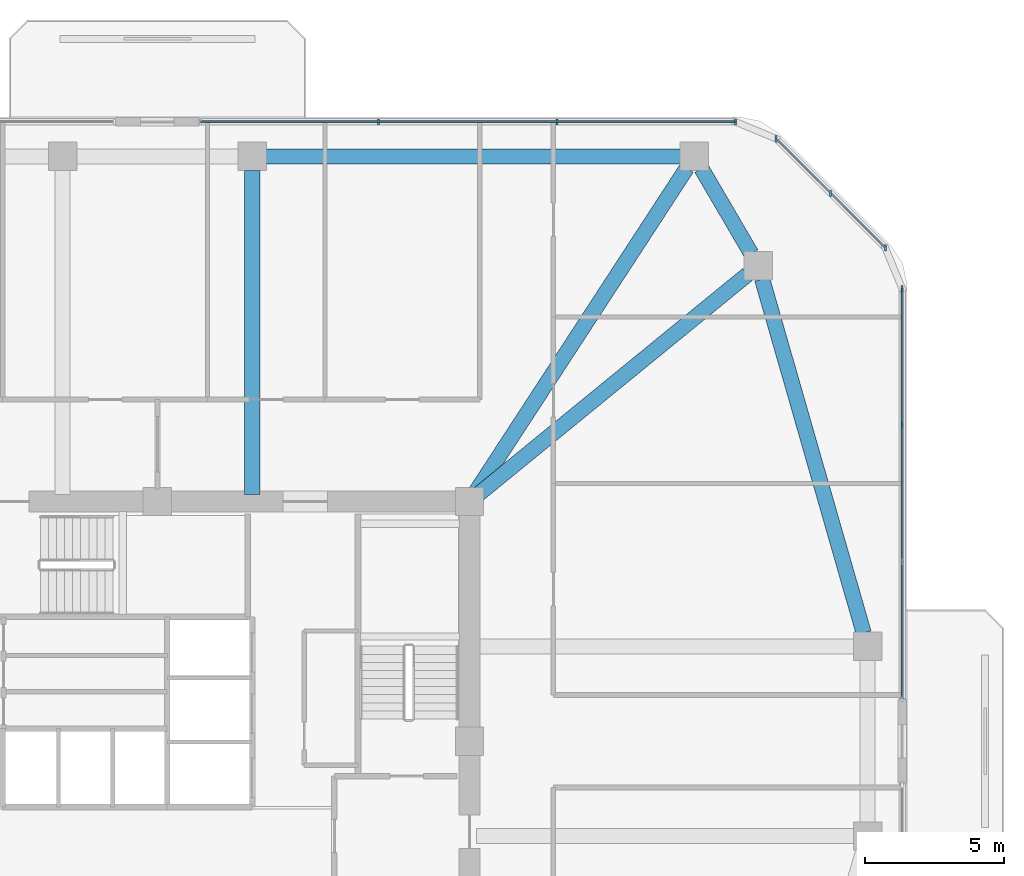
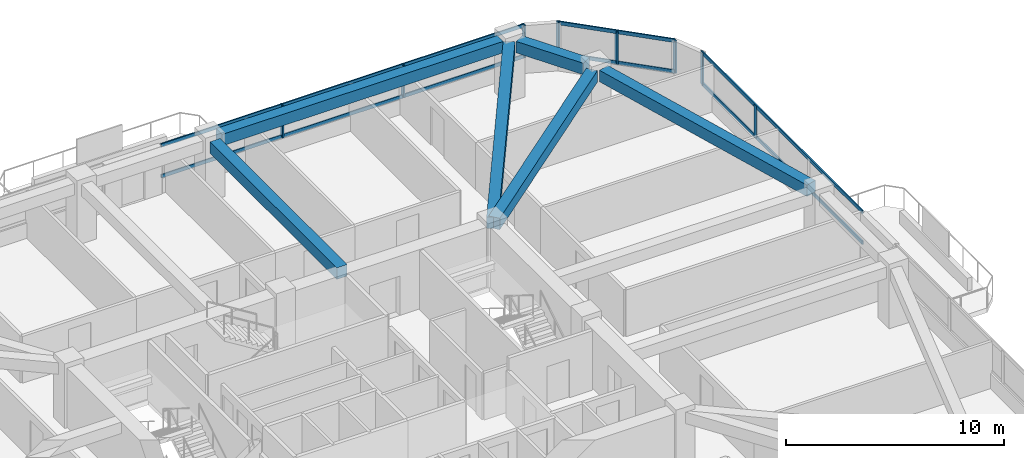
# One storey, part 7 of 14: 14 members, 6 beams, 3 elements without a shape of their own.
"""IFC4 building model written with IfcOpenShell, lengths in metres."""

import ifcopenshell
import ifcopenshell.guid

model = None  # the IFC model being written
_history = None  # IfcOwnerHistory: only IFC2X3 demands one
_inside = {}  # id of a spatial element -> (the spatial element, [elements in it])
_under = {}  # id of a project, library or spatial element -> (it, [spatial elements below it])
_declared = {}  # id of a project -> (the project, [libraries it declares])
_typed = {}  # id of a type object -> (the type object, [elements of that type])
_made_of = {}  # id of a material, layer set ... -> (it, [elements and type objects made of it])


def new_model(schema):
    """Start an empty IFC model of exactly this schema.

    Asked for "IFC4X3", IfcOpenShell would pick the latest addendum, in which some entities
    have other attributes; the version numbers below select the first issue.
    IFC2X3 requires an IfcOwnerHistory on every rooted entity: one is made here for all.
    """
    global model, _history
    if schema == "IFC4X3":
        model = ifcopenshell.file(schema_version=(4, 3, 0, 0))
    else:
        model = ifcopenshell.file(schema=schema)
    _inside.clear()
    _under.clear()
    _declared.clear()
    _typed.clear()
    _made_of.clear()
    _history = None
    if model.schema == "IFC2X3":
        org = make("IfcOrganization", Name="unknown")
        user = make(
            "IfcPersonAndOrganization",
            ThePerson=make("IfcPerson", FamilyName="unknown"),
            TheOrganization=org,
        )
        app = make(
            "IfcApplication",
            ApplicationDeveloper=org,
            Version="unknown",
            ApplicationFullName="unknown",
            ApplicationIdentifier="unknown",
        )
        _history = make(
            "IfcOwnerHistory",
            OwningUser=user,
            OwningApplication=app,
            ChangeAction="ADDED",
            CreationDate=0,
        )
    return model


def make(cls, **values):
    """One entity of the class cls with the attributes given. An attribute that is None is left unset."""
    return model.create_entity(
        cls, **{name: value for name, value in values.items() if value is not None}
    )


def rooted(cls, **values):
    """An entity with a GlobalId (a new one), such as an element, a storey or a relation."""
    return make(cls, GlobalId=ifcopenshell.guid.new(), OwnerHistory=_history, **values)


def si_unit(unit_type, name, prefix=None):
    """IfcSIUnit, for example si_unit("LENGTHUNIT", "METRE", prefix="MILLI")."""
    return make("IfcSIUnit", UnitType=unit_type, Prefix=prefix, Name=name)


def derived_unit(unit_type, elements):
    """IfcDerivedUnit: a product of units, each with its exponent."""
    return make(
        "IfcDerivedUnit",
        Elements=[
            make("IfcDerivedUnitElement", Unit=unit, Exponent=power)
            for unit, power in elements
        ],
        UnitType=unit_type,
    )


def assignment(units):
    """IfcUnitAssignment: the units of a project."""
    return None if units is None else make("IfcUnitAssignment", Units=units)


def point(xyz):
    """IfcCartesianPoint."""
    return None if xyz is None else make("IfcCartesianPoint", Coordinates=xyz)


def direction(xyz):
    """IfcDirection."""
    return None if xyz is None else make("IfcDirection", DirectionRatios=xyz)


def frame(location, z_axis=None, x_axis=None):
    """IfcAxis2Placement3D, a coordinate frame: its origin and axes. An axis left out is left unset."""
    return make(
        "IfcAxis2Placement3D",
        Location=point(location),
        Axis=direction(z_axis),
        RefDirection=direction(x_axis),
    )


def frame_2d(location, x_axis=None):
    """IfcAxis2Placement2D, a coordinate frame in the plane: its origin and x axis."""
    return make(
        "IfcAxis2Placement2D", Location=point(location), RefDirection=direction(x_axis)
    )


def origin():
    """The frame at (0, 0, 0) with its axes left unset."""
    return frame((0.0, 0.0, 0.0))


def origin_2d():
    """The frame at (0, 0) in the plane with its x axis left unset."""
    return frame_2d((0.0, 0.0))


def place(relative_to, where):
    """IfcLocalPlacement: puts the frame where relative to a parent placement (None: the world)."""
    return make(
        "IfcLocalPlacement", PlacementRelTo=relative_to, RelativePlacement=where
    )


def context(
    kind, dimensions, precision=None, world=None, true_north=None, identifier=None
):
    """IfcGeometricRepresentationContext, for example the 3D "Model" context."""
    return make(
        "IfcGeometricRepresentationContext",
        ContextIdentifier=identifier,
        ContextType=kind,
        CoordinateSpaceDimension=dimensions,
        Precision=precision,
        WorldCoordinateSystem=world,
        TrueNorth=true_north,
    )


def subcontext(parent, identifier, kind, view, scale=None):
    """IfcGeometricRepresentationSubContext, for example "Body" below "Model"."""
    return make(
        "IfcGeometricRepresentationSubContext",
        ContextIdentifier=identifier,
        ContextType=kind,
        ParentContext=parent,
        TargetScale=scale,
        TargetView=view,
    )


def project(units=None, contexts=None):
    """IfcProject with its units and contexts."""
    return rooted(
        "IfcProject",
        Name="project",
        RepresentationContexts=contexts,
        UnitsInContext=assignment(units),
    )


def spatial(cls, under=None, at=None, **own):
    """A site, building, storey or space (cls), placed at a placement, below another one or the project."""
    s = rooted(cls, ObjectPlacement=at, **own)
    if under is not None:
        _under.setdefault(under.id(), (under, []))[1].append(s)
    return s


def profile(cls, at=None, kind="AREA", **sizes):
    """A parametric profile (cls). Its sizes go by their IFC names, for example OverallWidth=200.0."""
    return make(cls, ProfileType=kind, Position=at, **sizes)


def rectangle(**sizes):
    """IfcRectangleProfileDef."""
    return profile("IfcRectangleProfileDef", **sizes)


def extrude(swept, where, along, depth):
    """IfcExtrudedAreaSolid: the profile swept, set in the frame where, extruded along a direction by depth."""
    return make(
        "IfcExtrudedAreaSolid",
        SweptArea=swept,
        Position=where,
        ExtrudedDirection=direction(along),
        Depth=depth,
    )


def shape(context_of_items, identifier, shape_type, items):
    """IfcShapeRepresentation: the items that make up one representation, for example the "Body"."""
    return make(
        "IfcShapeRepresentation",
        ContextOfItems=context_of_items,
        RepresentationIdentifier=identifier,
        RepresentationType=shape_type,
        Items=items,
    )


def material(Name=None, Category=None):
    """IfcMaterial."""
    return make("IfcMaterial", Name=Name, Category=Category)


def material_profile(
    of_material, cross_section, Name=None, Category=None, Priority=None
):
    """IfcMaterialProfile: a cross section and its material."""
    return make(
        "IfcMaterialProfile",
        Name=Name,
        Material=of_material,
        Profile=cross_section,
        Priority=Priority,
        Category=Category,
    )


def profile_set(profiles, Name=None, composite=None):
    """IfcMaterialProfileSet."""
    return make(
        "IfcMaterialProfileSet",
        Name=Name,
        MaterialProfiles=profiles,
        CompositeProfile=composite,
    )


def made_of(thing, what):
    """Note that an element or type object is made of a material, layer set ...; save() writes the relation."""
    if what is not None:
        _made_of.setdefault(what.id(), (what, []))[1].append(thing)
    return thing


def type_object(cls, material=None, **own):
    """A type object (cls), such as IfcWallType, which elements share."""
    return made_of(rooted(cls, **own), material)


def element(
    cls,
    number,
    at=None,
    inside=None,
    cuts=None,
    type_object=None,
    material=None,
    context=None,
    identifier="Body",
    shape_type=None,
    held_by="IfcProductDefinitionShape",
    body=None,
    shapes=None,
    **own,
):
    """One element of the class cls, such as IfcWall. Its Tag is "e" and its number.

    at: its placement. inside: the storey or other place that contains it. cuts: it is an
    opening in that element (IfcRelVoidsElement). A single representation is given by context,
    identifier, shape_type and body (its items); several are given by shapes. held_by: the class
    of the entity that holds the representations. save() writes the other relations.
    """
    e = rooted(cls, Tag="e%d" % number, ObjectPlacement=at, **own)
    if body is not None:
        shapes = [shape(context, identifier, shape_type, body)]
    if shapes is not None:
        e.Representation = make(held_by, Representations=shapes)
    if inside is not None:
        _inside.setdefault(inside.id(), (inside, []))[1].append(e)
    if cuts is not None:
        rooted(
            "IfcRelVoidsElement", RelatingBuildingElement=cuts, RelatedOpeningElement=e
        )
    if type_object is not None:
        _typed.setdefault(type_object.id(), (type_object, []))[1].append(e)
    return made_of(e, material)


def aggregate(whole, parts):
    """IfcRelAggregates: a whole, such as a stair, and the parts it consists of."""
    return rooted("IfcRelAggregates", RelatingObject=whole, RelatedObjects=parts)


def save(model, path):
    """Write the relations noted so far, then the file.

    IfcRelAggregates (storeys below a building ...), IfcRelContainedInSpatialStructure (elements
    in a storey), IfcRelDefinesByType, IfcRelAssociatesMaterial and IfcRelDeclares: one each for
    every whole, place, type object, material and project.
    """
    for whole, parts in _under.values():
        aggregate(whole, parts)
    for where, things in _inside.values():
        rooted(
            "IfcRelContainedInSpatialStructure",
            RelatedElements=things,
            RelatingStructure=where,
        )
    for kind, things in _typed.values():
        rooted("IfcRelDefinesByType", RelatedObjects=things, RelatingType=kind)
    for what, things in _made_of.values():
        rooted("IfcRelAssociatesMaterial", RelatedObjects=things, RelatingMaterial=what)
    for by, libraries in _declared.values():
        rooted("IfcRelDeclares", RelatingContext=by, RelatedDefinitions=libraries)
    model.write(path)


model = new_model("IFC4")

# Units and contexts
model_context = context("Model", 3, precision=1e-05, world=origin(), true_north=direction((0.0, 1.0)))
body_context = subcontext(model_context, "Body", "Model", "MODEL_VIEW")
ifc_project = project(units=[si_unit("LENGTHUNIT", "METRE"), si_unit("AREAUNIT", "SQUARE_METRE"), si_unit("VOLUMEUNIT", "CUBIC_METRE"), si_unit("PLANEANGLEUNIT", "RADIAN"), si_unit("MASSUNIT", "GRAM", prefix="KILO"), derived_unit("THERMALTRANSMITTANCEUNIT", [(si_unit("POWERUNIT", "WATT"), 1), (si_unit("LENGTHUNIT", "METRE"), -2), (si_unit("THERMODYNAMICTEMPERATUREUNIT", "KELVIN"), -1)])], contexts=[model_context])

# Site, building, storey
site_placement = place(None, origin())
site = spatial("IfcSite", under=ifc_project, at=site_placement, CompositionType="ELEMENT")
building_placement = place(site_placement, origin())
building = spatial("IfcBuilding", under=site, at=building_placement, Name="Koralith Skygarden Medical Center", CompositionType="ELEMENT")
storey_placement = place(building_placement, frame((0.0, 0.0, 81.179931640625)))
storey = spatial("IfcBuildingStorey", under=building, at=storey_placement, Name="L20", CompositionType="ELEMENT", Elevation=81.179931640625)

# Curtain wall, members
ifc_material_1 = material(Name="Clear Laminated Glass", Category="glass")
curtain_wall_type = type_object("IfcCurtainWallType", Name="CW-3 Zone 2 Faceted Solar Curtain Wall", PredefinedType="NOTDEFINED", material=ifc_material_1)
curtain_wall_1_placement = place(storey_placement, origin())
curtain_wall_1 = element("IfcCurtainWall", 1, at=curtain_wall_1_placement, inside=storey, type_object=curtain_wall_type, Name="Curtain Wall CW-L20-E-R", PredefinedType="NOTDEFINED")
ifc_material_2 = material(Name="Aluminium 6063-T6", Category="aluminium")
ifc_material_profile_1 = material_profile(ifc_material_2, rectangle(XDim=0.073974609375, YDim=0.219970703125, at=origin_2d()), Name="MUL74X220")
ifc_profile_set_1 = profile_set([ifc_material_profile_1], Name="Aluminium 6063-T6")
member_type_1 = type_object("IfcMemberType", Name="CW-3 Extruded Mullion 74x220", PredefinedType="MULLION", material=ifc_profile_set_1)
member_1_placement = place(storey_placement, frame((63.719970703125, 37.242919921875, 0.85009765625), z_axis=(0.0, 0.0, 1.0), x_axis=(1.0, 0.0, 0.0)))
member_1 = element("IfcMember", 2, at=member_1_placement, type_object=member_type_1, Name="CW-L20-E-R Mullion 3", PredefinedType="MULLION", context=body_context, shape_type="SweptSolid", body=[
    extrude(rectangle(XDim=0.073974609375, YDim=0.219970703125, at=origin_2d()), origin(), (0.0, 0.0, 1.0), 1.820068359375),
])
member_2_placement = place(storey_placement, frame((63.719970703125, 42.14501953125, 0.85009765625), z_axis=(0.0, 0.0, 1.0), x_axis=(1.0, 0.0, 0.0)))
member_2 = element("IfcMember", 3, at=member_2_placement, type_object=member_type_1, Name="CW-L20-E-R Mullion 4", PredefinedType="MULLION", context=body_context, shape_type="SweptSolid", body=[
    extrude(rectangle(XDim=0.073974609375, YDim=0.219970703125, at=origin_2d()), origin(), (0.0, 0.0, 1.0), 1.820068359375),
])

curtain_wall_2_placement = place(storey_placement, origin())
curtain_wall_2 = element("IfcCurtainWall", 4, at=curtain_wall_2_placement, inside=storey, type_object=curtain_wall_type, Name="Curtain Wall CW-L20-NE", PredefinedType="NOTDEFINED")
member_3_placement = place(storey_placement, frame((63.118896484375, 43.595947265625, 0.85009765625), z_axis=(0.0, 0.0, 1.0), x_axis=(1.0, 0.0, 0.0)))
member_3 = element("IfcMember", 5, at=member_3_placement, type_object=member_type_1, Name="CW-L20-NE Mullion 1", PredefinedType="MULLION", context=body_context, shape_type="SweptSolid", body=[
    extrude(rectangle(XDim=0.073974609375, YDim=0.219970703125, at=origin_2d()), origin(), (0.0, 0.0, 1.0), 1.820068359375),
])
member_4_placement = place(storey_placement, frame((61.156982421875, 45.556884765625, 0.85009765625), z_axis=(0.0, 0.0, 1.0), x_axis=(1.0, 0.0, 0.0)))
member_4 = element("IfcMember", 6, at=member_4_placement, type_object=member_type_1, Name="CW-L20-NE Mullion 2", PredefinedType="MULLION", context=body_context, shape_type="SweptSolid", body=[
    extrude(rectangle(XDim=0.073974609375, YDim=0.219970703125, at=origin_2d()), origin(), (0.0, 0.0, 1.0), 1.820068359375),
])
member_5_placement = place(storey_placement, frame((59.196044921875, 47.51904296875, 0.85009765625), z_axis=(0.0, 0.0, 1.0), x_axis=(1.0, 0.0, 0.0)))
member_5 = element("IfcMember", 7, at=member_5_placement, type_object=member_type_1, Name="CW-L20-NE Mullion 3", PredefinedType="MULLION", context=body_context, shape_type="SweptSolid", body=[
    extrude(rectangle(XDim=0.073974609375, YDim=0.219970703125, at=origin_2d()), origin(), (0.0, 0.0, 1.0), 1.820068359375),
])

curtain_wall_3_placement = place(storey_placement, origin())
curtain_wall_3 = element("IfcCurtainWall", 8, at=curtain_wall_3_placement, inside=storey, type_object=curtain_wall_type, Name="Curtain Wall CW-L20-N-L", PredefinedType="NOTDEFINED")
member_6_placement = place(storey_placement, frame((57.7451171875, 48.1201171875, 0.85009765625), z_axis=(0.0, 0.0, 1.0), x_axis=(1.0, 0.0, 0.0)))
member_6 = element("IfcMember", 9, at=member_6_placement, type_object=member_type_1, Name="CW-L20-N-L Mullion 1", PredefinedType="MULLION", context=body_context, shape_type="SweptSolid", body=[
    extrude(rectangle(XDim=0.073974609375, YDim=0.219970703125, at=origin_2d()), origin(), (0.0, 0.0, 1.0), 1.820068359375),
])
member_7_placement = place(storey_placement, frame((51.343994140625, 48.1201171875, 0.85009765625), z_axis=(0.0, 0.0, 1.0), x_axis=(1.0, 0.0, 0.0)))
member_7 = element("IfcMember", 10, at=member_7_placement, type_object=member_type_1, Name="CW-L20-N-L Mullion 2", PredefinedType="MULLION", context=body_context, shape_type="SweptSolid", body=[
    extrude(rectangle(XDim=0.073974609375, YDim=0.219970703125, at=origin_2d()), origin(), (0.0, 0.0, 1.0), 1.820068359375),
])
member_8_placement = place(storey_placement, frame((44.94189453125, 48.1201171875, 0.85009765625), z_axis=(0.0, 0.0, 1.0), x_axis=(1.0, 0.0, 0.0)))
member_8 = element("IfcMember", 11, at=member_8_placement, type_object=member_type_1, Name="CW-L20-N-L Mullion 3", PredefinedType="MULLION", context=body_context, shape_type="SweptSolid", body=[
    extrude(rectangle(XDim=0.073974609375, YDim=0.219970703125, at=origin_2d()), origin(), (0.0, 0.0, 1.0), 1.820068359375),
])

# Member
ifc_material_profile_2 = material_profile(ifc_material_2, rectangle(XDim=0.069091796875, YDim=0.197998046875, at=origin_2d()), Name="TRN69X198")
ifc_profile_set_2 = profile_set([ifc_material_profile_2], Name="Aluminium 6063-T6")
member_type_2 = type_object("IfcMemberType", Name="CW-3 Thermal Transom 69x198", PredefinedType="USERDEFINED", material=ifc_profile_set_2)
member_9_placement = place(storey_placement, frame((63.719970703125, 27.43896484375, 0.900146484375), z_axis=(0.0, 1.0, 0.0), x_axis=(-1.0, 0.0, 0.0)))
member_9 = element("IfcMember", 12, at=member_9_placement, type_object=member_type_2, Name="CW-L20-E-R Transom 1", ObjectType="TRANSOM", PredefinedType="USERDEFINED", context=body_context, shape_type="SweptSolid", body=[
    extrude(rectangle(XDim=0.069091796875, YDim=0.197998046875, at=origin_2d()), origin(), (0.0, 0.0, 1.0), 14.7060546875),
])

member_10_placement = place(storey_placement, frame((63.719970703125, 27.43896484375, 2.6201171875), z_axis=(0.0, 1.0, 0.0), x_axis=(-1.0, 0.0, 0.0)))
member_10 = element("IfcMember", 13, at=member_10_placement, type_object=member_type_2, Name="CW-L20-E-R Transom 2", ObjectType="TRANSOM", PredefinedType="USERDEFINED", context=body_context, shape_type="SweptSolid", body=[
    extrude(rectangle(XDim=0.069091796875, YDim=0.197998046875, at=origin_2d()), origin(), (0.0, 0.0, 1.0), 14.7060546875),
])

aggregate(curtain_wall_1, [member_1, member_2, member_9, member_10])

member_11_placement = place(storey_placement, frame((63.118896484375, 43.595947265625, 0.900146484375), z_axis=(-0.707084777957, 0.707128783731, 0.0), x_axis=(-0.707128783731, -0.707084777957, 0.0)))
member_11 = element("IfcMember", 14, at=member_11_placement, type_object=member_type_2, Name="CW-L20-NE Transom 1", ObjectType="TRANSOM", PredefinedType="USERDEFINED", context=body_context, shape_type="SweptSolid", body=[
    extrude(rectangle(XDim=0.069091796875, YDim=0.197998046875, at=origin_2d()), origin(), (0.0, 0.0, 1.0), 5.5478515625),
])

member_12_placement = place(storey_placement, frame((63.118896484375, 43.595947265625, 2.6201171875), z_axis=(-0.707084777957, 0.707128783731, 0.0), x_axis=(-0.707128783731, -0.707084777957, 0.0)))
member_12 = element("IfcMember", 15, at=member_12_placement, type_object=member_type_2, Name="CW-L20-NE Transom 2", ObjectType="TRANSOM", PredefinedType="USERDEFINED", context=body_context, shape_type="SweptSolid", body=[
    extrude(rectangle(XDim=0.069091796875, YDim=0.197998046875, at=origin_2d()), origin(), (0.0, 0.0, 1.0), 5.5478515625),
])

aggregate(curtain_wall_2, [member_3, member_4, member_5, member_11, member_12])

member_13_placement = place(storey_placement, frame((57.7451171875, 48.1201171875, 0.900146484375), z_axis=(-1.0, 0.0, 0.0), x_axis=(0.0, -1.0, 0.0)))
member_13 = element("IfcMember", 16, at=member_13_placement, type_object=member_type_2, Name="CW-L20-N-L Transom 1", ObjectType="TRANSOM", PredefinedType="USERDEFINED", context=body_context, shape_type="SweptSolid", body=[
    extrude(rectangle(XDim=0.069091796875, YDim=0.197998046875, at=origin_2d()), origin(), (0.0, 0.0, 1.0), 19.2041015625),
])

member_14_placement = place(storey_placement, frame((57.7451171875, 48.1201171875, 2.6201171875), z_axis=(-1.0, 0.0, 0.0), x_axis=(0.0, -1.0, 0.0)))
member_14 = element("IfcMember", 17, at=member_14_placement, type_object=member_type_2, Name="CW-L20-N-L Transom 2", ObjectType="TRANSOM", PredefinedType="USERDEFINED", context=body_context, shape_type="SweptSolid", body=[
    extrude(rectangle(XDim=0.069091796875, YDim=0.197998046875, at=origin_2d()), origin(), (0.0, 0.0, 1.0), 19.2041015625),
])

aggregate(curtain_wall_3, [member_6, member_7, member_8, member_13, member_14])

# Beams
ifc_material_3 = material(Name="Concrete C45/55", Category="concrete")
ifc_material_profile_3 = material_profile(ifc_material_3, rectangle(XDim=0.550048828125, YDim=0.639892578125, at=origin_2d()), Name="RCB550X640")
ifc_profile_set_3 = profile_set([ifc_material_profile_3], Name="Concrete C45/55")
beam_type_1 = type_object("IfcBeamType", Name="Radial Collector Beam RCB550X640", PredefinedType="BEAM", material=ifc_profile_set_3)
beam_1_placement = place(storey_placement, frame((48.39404296875, 34.657958984375, 3.0), z_axis=(0.774537653753, 0.632527804067, 0.0), x_axis=(-0.632527804067, 0.774537653753, 0.0)))
element("IfcBeam", 18, at=beam_1_placement, inside=storey, type_object=beam_type_1, Name="L20 Radial Collector Beam RB-10", PredefinedType="BEAM", context=body_context, shape_type="SweptSolid", body=[
    extrude(rectangle(XDim=0.550048828125, YDim=0.639892578125, at=origin_2d()), origin(), (0.0, 0.0, 1.0), 12.625732421875),
])
beam_2_placement = place(storey_placement, frame((48.3359375, 34.708984375, 3.0), z_axis=(0.546010797592, 0.83777813824, 0.0), x_axis=(-0.83777813824, 0.546010797592, 0.0)))
element("IfcBeam", 19, at=beam_2_placement, inside=storey, type_object=beam_type_1, Name="L20 Radial Collector Beam RB-11", PredefinedType="BEAM", context=body_context, shape_type="SweptSolid", body=[
    extrude(rectangle(XDim=0.550048828125, YDim=0.639892578125, at=origin_2d()), origin(), (0.0, 0.0, 1.0), 14.027587890625),
])
beam_3_placement = place(storey_placement, frame((40.39990234375, 34.75, 3.0), z_axis=(0.0, 1.0, 0.0), x_axis=(-1.0, 0.0, 0.0)))
element("IfcBeam", 20, at=beam_3_placement, inside=storey, type_object=beam_type_1, Name="L20 Radial Collector Beam RB-12", PredefinedType="BEAM", context=body_context, shape_type="SweptSolid", body=[
    extrude(rectangle(XDim=0.550048828125, YDim=0.639892578125, at=origin_2d()), origin(), (0.0, 0.0, 1.0), 11.6298828125),
])
ifc_material_profile_4 = material_profile(ifc_material_3, rectangle(XDim=0.550048828125, YDim=0.639892578125, at=origin_2d()), Name="RCB550X640")
ifc_profile_set_4 = profile_set([ifc_material_profile_4], Name="Concrete C45/55")
beam_type_2 = type_object("IfcBeamType", Name="Zone 2-3 Spandrel Beam RCB550X640", PredefinedType="SPANDREL", material=ifc_profile_set_4)
beam_4_placement = place(storey_placement, frame((62.342041015625, 29.781005859375, 3.0), z_axis=(-0.275843733572, 0.961202494092, 0.0), x_axis=(-0.961202494092, -0.275843733572, 0.0)))
element("IfcBeam", 21, at=beam_4_placement, inside=storey, type_object=beam_type_2, Name="L20 Perimeter Spandrel Beam SP-09", PredefinedType="SPANDREL", context=body_context, shape_type="SweptSolid", body=[
    extrude(rectangle(XDim=0.550048828125, YDim=0.639892578125, at=origin_2d()), origin(), (0.0, 0.0, 1.0), 13.21044921875),
])
beam_5_placement = place(storey_placement, frame((58.30810546875, 43.39208984375, 3.0), z_axis=(-0.50502386975, 0.863105376523, 0.0), x_axis=(-0.863105376523, -0.50502386975, 0.0)))
element("IfcBeam", 22, at=beam_5_placement, inside=storey, type_object=beam_type_2, Name="L20 Perimeter Spandrel Beam SP-10", PredefinedType="SPANDREL", context=body_context, shape_type="SweptSolid", body=[
    extrude(rectangle(XDim=0.550048828125, YDim=0.639892578125, at=origin_2d()), origin(), (0.0, 0.0, 1.0), 3.54052734375),
])
beam_6_placement = place(storey_placement, frame((55.76806640625, 46.8798828125, 3.0), z_axis=(-1.0, 0.0, 0.0), x_axis=(0.0, -1.0, 0.0)))
element("IfcBeam", 23, at=beam_6_placement, inside=storey, type_object=beam_type_2, Name="L20 Perimeter Spandrel Beam SP-11", PredefinedType="SPANDREL", context=body_context, shape_type="SweptSolid", body=[
    extrude(rectangle(XDim=0.550048828125, YDim=0.639892578125, at=origin_2d()), origin(), (0.0, 0.0, 1.0), 14.8681640625),
])

save(model, "model.ifc")
